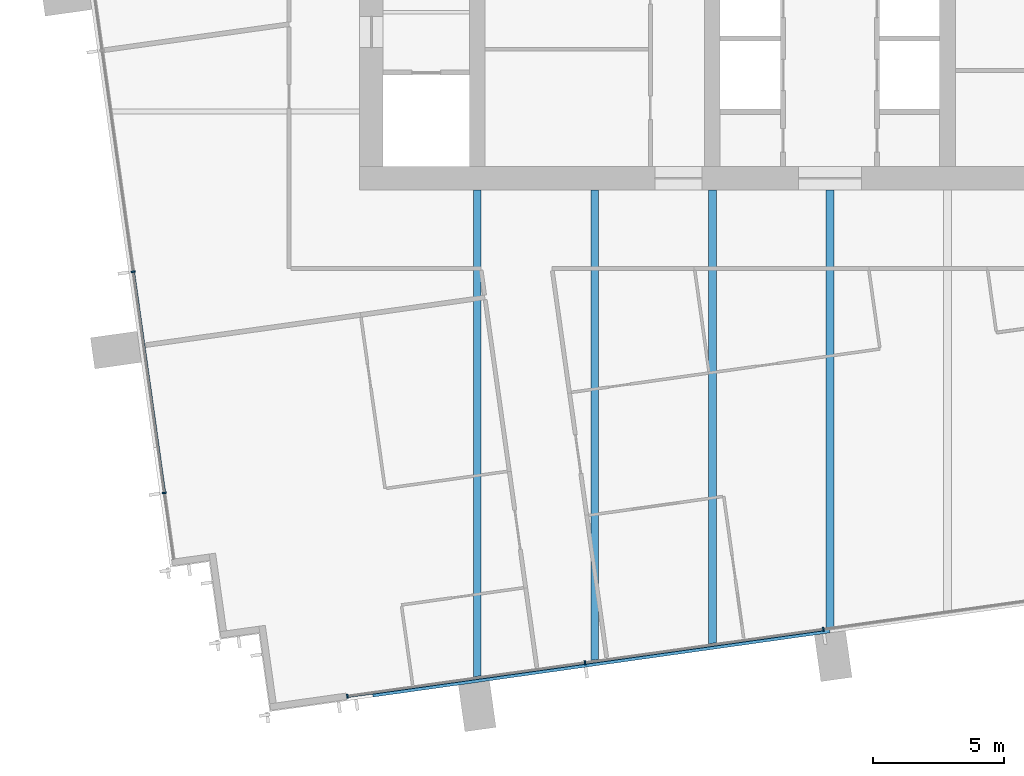
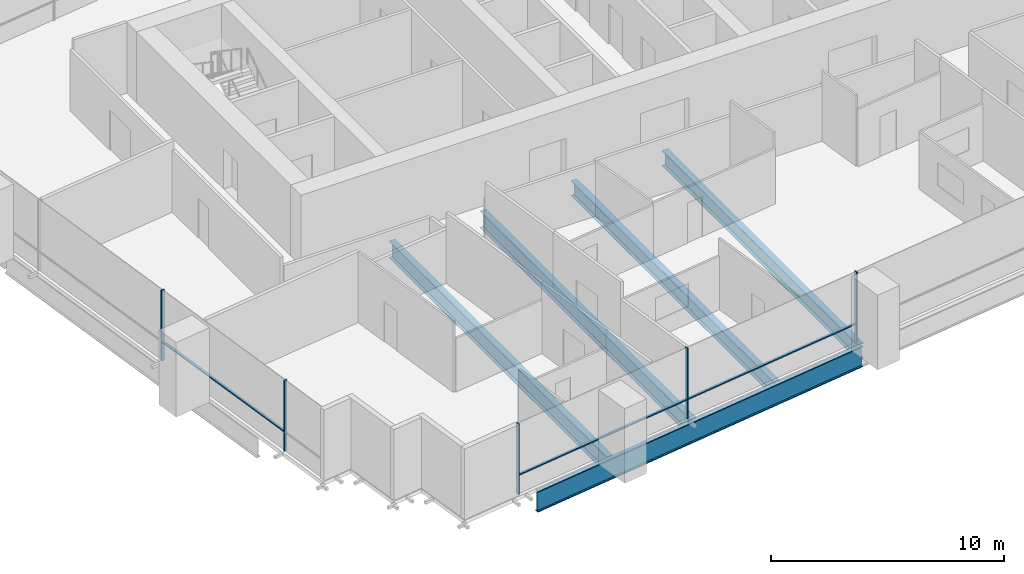
# One storey, part 2 of 14: 8 members, 5 beams, 2 elements without a shape of their own.
"""IFC4 building model written with IfcOpenShell, lengths in metres."""

from ifc_helpers import new_model, si_unit, direction, frame, origin, origin_2d, place, context, subcontext, project, spatial, rectangle, i_section, extrude, material, material_profile, profile_set, type_object, element, aggregate, save


model = new_model("IFC4")

# Units and contexts
model_context = context("Model", 3, precision=1e-05, world=origin(), true_north=direction((0.0, 1.0)))
body_context = subcontext(model_context, "Body", "Model", "MODEL_VIEW")
ifc_project = project(units=[si_unit("LENGTHUNIT", "METRE"), si_unit("AREAUNIT", "SQUARE_METRE"), si_unit("VOLUMEUNIT", "CUBIC_METRE"), si_unit("PLANEANGLEUNIT", "RADIAN"), si_unit("MASSUNIT", "GRAM", prefix="KILO")], contexts=[model_context])

# Site, building, storey
site_placement = place(None, origin())
site = spatial("IfcSite", under=ifc_project, at=site_placement, CompositionType="ELEMENT")
building_placement = place(site_placement, origin())
building = spatial("IfcBuilding", under=site, at=building_placement, Name="Rattan Terrace Tower", CompositionType="ELEMENT")
storey_placement = place(building_placement, frame((0.0, 0.0, 184.10009765625)))
storey = spatial("IfcBuildingStorey", under=building, at=storey_placement, Name="L42", CompositionType="ELEMENT", Elevation=184.10009765625)

# Curtain wall, members
ifc_material_1 = material(Name="Aluminium and glass", Category="aluminium")
curtain_wall_type = type_object("IfcCurtainWallType", Name="Facade Unitised Curtain Wall", PredefinedType="NOTDEFINED", material=ifc_material_1)
curtain_wall_1_placement = place(storey_placement, origin())
curtain_wall_1 = element("IfcCurtainWall", 1, at=curtain_wall_1_placement, inside=storey, type_object=curtain_wall_type, Name="Curtain wall L42-3", PredefinedType="NOTDEFINED")
ifc_material_2 = material(Name="Aluminium", Category="aluminium")
ifc_material_profile_1 = material_profile(ifc_material_2, rectangle(XDim=0.06005859375, YDim=0.159912109375, at=origin_2d()), Name="Aluminium 60x160")
ifc_profile_set_1 = profile_set([ifc_material_profile_1], Name="Aluminium")
member_type_1 = type_object("IfcMemberType", Name="Facade CW Mullion 60x160", PredefinedType="MULLION", material=ifc_profile_set_1)
member_1_placement = place(storey_placement, frame((-26.66748046875, -10.6259765625, 0.0), z_axis=(0.0, 0.0, 1.0), x_axis=(0.139190856006, -0.99026557327, 0.0)))
member_1 = element("IfcMember", 2, at=member_1_placement, type_object=member_type_1, Name="Mullion cwl-L42-003.3", PredefinedType="MULLION", context=body_context, shape_type="SweptSolid", body=[
    extrude(rectangle(XDim=0.06005859375, YDim=0.159912109375, at=origin_2d()), origin(), (0.0, 0.0, 1.0), 3.699951171875),
])
member_2_placement = place(storey_placement, frame((-25.477294921875, -19.092529296875, 0.0), z_axis=(0.0, 0.0, 1.0), x_axis=(0.139190856006, -0.99026557327, 0.0)))
member_2 = element("IfcMember", 3, at=member_2_placement, type_object=member_type_1, Name="Mullion cwl-L42-003.4", PredefinedType="MULLION", context=body_context, shape_type="SweptSolid", body=[
    extrude(rectangle(XDim=0.06005859375, YDim=0.159912109375, at=origin_2d()), origin(), (0.0, 0.0, 1.0), 3.699951171875),
])

curtain_wall_2_placement = place(storey_placement, origin())
curtain_wall_2 = element("IfcCurtainWall", 4, at=curtain_wall_2_placement, inside=storey, type_object=curtain_wall_type, Name="Curtain wall L42-4", PredefinedType="NOTDEFINED")
member_3_placement = place(storey_placement, frame((-18.467041015625, -26.87255859375, 0.0), z_axis=(0.0, 0.0, 1.0), x_axis=(0.990269702686, 0.139161474347, 0.0)))
member_3 = element("IfcMember", 5, at=member_3_placement, type_object=member_type_1, Name="Mullion cwl-L42-004.1", PredefinedType="MULLION", context=body_context, shape_type="SweptSolid", body=[
    extrude(rectangle(XDim=0.06005859375, YDim=0.159912109375, at=origin_2d()), origin(), (0.0, 0.0, 1.0), 3.699951171875),
])
member_4_placement = place(storey_placement, frame((-9.373291015625, -25.594482421875, 0.0), z_axis=(0.0, 0.0, 1.0), x_axis=(0.990269702686, 0.139161474347, 0.0)))
member_4 = element("IfcMember", 6, at=member_4_placement, type_object=member_type_1, Name="Mullion cwl-L42-004.2", PredefinedType="MULLION", context=body_context, shape_type="SweptSolid", body=[
    extrude(rectangle(XDim=0.06005859375, YDim=0.159912109375, at=origin_2d()), origin(), (0.0, 0.0, 1.0), 3.699951171875),
])
member_5_placement = place(storey_placement, frame((-0.25, -24.3125, 0.0), z_axis=(0.0, 0.0, 1.0), x_axis=(0.990269702686, 0.139161474347, 0.0)))
member_5 = element("IfcMember", 7, at=member_5_placement, type_object=member_type_1, Name="Mullion cwl-L42-004.3", PredefinedType="MULLION", context=body_context, shape_type="SweptSolid", body=[
    extrude(rectangle(XDim=0.06005859375, YDim=0.159912109375, at=origin_2d()), origin(), (0.0, 0.0, 1.0), 3.699951171875),
])

# Member
ifc_material_3 = material(Name="Aluminium", Category="aluminium")
ifc_material_profile_2 = material_profile(ifc_material_3, rectangle(XDim=0.1201171875, YDim=0.06005859375, at=origin_2d()), Name="Aluminium 120x60")
ifc_profile_set_2 = profile_set([ifc_material_profile_2], Name="Aluminium")
member_type_2 = type_object("IfcMemberType", Name="Facade CW Transom 120x60", PredefinedType="USERDEFINED", material=ifc_profile_set_2)
member_6_placement = place(storey_placement, frame((-26.663330078125, -10.655517578125, 1.0), z_axis=(0.139178607515, -0.99026729483, 0.0), x_axis=(0.99026729483, 0.139178607515, 0.0)))
member_6 = element("IfcMember", 8, at=member_6_placement, type_object=member_type_2, Name="Transom cwl-L42-003.3", ObjectType="TRANSOM", PredefinedType="USERDEFINED", context=body_context, shape_type="SweptSolid", body=[
    extrude(rectangle(XDim=0.1201171875, YDim=0.06005859375, at=origin_2d()), origin(), (0.0, 0.0, 1.0), 8.489990234375),
])

aggregate(curtain_wall_1, [member_1, member_2, member_6])

member_7_placement = place(storey_placement, frame((-18.437255859375, -26.868408203125, 1.0), z_axis=(0.990266494002, 0.139184305354, 0.0), x_axis=(-0.139184305354, 0.990266494002, 0.0)))
member_7 = element("IfcMember", 9, at=member_7_placement, type_object=member_type_2, Name="Transom cwl-L42-004.1", ObjectType="TRANSOM", PredefinedType="USERDEFINED", context=body_context, shape_type="SweptSolid", body=[
    extrude(rectangle(XDim=0.1201171875, YDim=0.06005859375, at=origin_2d()), origin(), (0.0, 0.0, 1.0), 9.123046875),
])

member_8_placement = place(storey_placement, frame((-9.343505859375, -25.59033203125, 1.0), z_axis=(0.990270711765, 0.139154293575, 0.0), x_axis=(-0.139154293575, 0.990270711765, 0.0)))
member_8 = element("IfcMember", 10, at=member_8_placement, type_object=member_type_2, Name="Transom cwl-L42-004.2", ObjectType="TRANSOM", PredefinedType="USERDEFINED", context=body_context, shape_type="SweptSolid", body=[
    extrude(rectangle(XDim=0.1201171875, YDim=0.06005859375, at=origin_2d()), origin(), (0.0, 0.0, 1.0), 9.153076171875),
])

aggregate(curtain_wall_2, [member_3, member_4, member_5, member_7, member_8])

# Beams
ifc_material_4 = material(Name="Steel S460", Category="steel")
ifc_material_profile_3 = material_profile(ifc_material_4, i_section(OverallWidth=0.179931640625, OverallDepth=1.10009765625, WebThickness=0.01611328125, FlangeThickness=0.050048828125, at=origin_2d()), Name="PG 1100x180-16-50")
ifc_profile_set_3 = profile_set([ifc_material_profile_3], Name="Steel S460")
beam_type_1 = type_object("IfcBeamType", Name="Frame edge girder PG 1100x180-16-50", PredefinedType="SPANDREL", material=ifc_profile_set_3)
beam_1_placement = place(storey_placement, frame((-17.4990234375, -26.818115234375, -0.75), z_axis=(0.990264173921, 0.139200811234, 0.0), x_axis=(-0.139200811234, 0.990264173921, 0.0)))
element("IfcBeam", 11, at=beam_1_placement, inside=storey, type_object=beam_type_1, Name="gdr-L42-001", PredefinedType="SPANDREL", context=body_context, shape_type="SweptSolid", body=[
    extrude(i_section(OverallWidth=0.179931640625, OverallDepth=1.10009765625, WebThickness=0.01611328125, FlangeThickness=0.050048828125, at=origin_2d()), origin(), (0.0, 0.0, 1.0), 17.657958984375),
])
ifc_material_5 = material(Name="Steel S355", Category="steel")
ifc_material_profile_4 = material_profile(ifc_material_5, i_section(OverallWidth=0.300048828125, OverallDepth=0.800048828125, WebThickness=0.017578125, FlangeThickness=0.032958984375, FilletRadius=0.030029296875, at=origin_2d()), Name="HE 800 B")
ifc_profile_set_4 = profile_set([ifc_material_profile_4], Name="Steel S355")
beam_type_2 = type_object("IfcBeamType", Name="Frame floor beam HE 800 B", PredefinedType="JOIST", material=ifc_profile_set_4)
beam_2_placement = place(storey_placement, frame((-4.5, -24.87890625, -0.60009765625), z_axis=(0.0, 1.0, 0.0), x_axis=(-1.0, 0.0, 0.0)))
element("IfcBeam", 12, at=beam_2_placement, inside=storey, type_object=beam_type_2, Name="bm-L42-005", PredefinedType="JOIST", context=body_context, shape_type="SweptSolid", body=[
    extrude(i_section(OverallWidth=0.300048828125, OverallDepth=0.800048828125, WebThickness=0.017578125, FlangeThickness=0.032958984375, FilletRadius=0.030029296875, at=origin_2d()), origin(), (0.0, 0.0, 1.0), 17.37890625),
])
beam_3_placement = place(storey_placement, frame((0.0, -24.24609375, -0.60009765625), z_axis=(0.0, 1.0, 0.0), x_axis=(-1.0, 0.0, 0.0)))
element("IfcBeam", 13, at=beam_3_placement, inside=storey, type_object=beam_type_2, Name="bm-L42-006", PredefinedType="JOIST", context=body_context, shape_type="SweptSolid", body=[
    extrude(i_section(OverallWidth=0.300048828125, OverallDepth=0.800048828125, WebThickness=0.017578125, FlangeThickness=0.032958984375, FilletRadius=0.030029296875, at=origin_2d()), origin(), (0.0, 0.0, 1.0), 16.74609375),
])
ifc_material_6 = material(Name="Steel S355", Category="steel")
ifc_material_profile_5 = material_profile(ifc_material_6, i_section(OverallWidth=0.300048828125, OverallDepth=0.89990234375, WebThickness=0.0185546875, FlangeThickness=0.034912109375, FilletRadius=0.030029296875, at=origin_2d()), Name="HE 900 B")
ifc_profile_set_5 = profile_set([ifc_material_profile_5], Name="Steel S355")
beam_type_3 = type_object("IfcBeamType", Name="Frame floor beam HE 900 B", PredefinedType="JOIST", material=ifc_profile_set_5)
beam_4_placement = place(storey_placement, frame((-13.5, -26.14404296875, -0.650146484375), z_axis=(0.0, 1.0, 0.0), x_axis=(-1.0, 0.0, 0.0)))
element("IfcBeam", 14, at=beam_4_placement, inside=storey, type_object=beam_type_3, Name="bm-L42-003", PredefinedType="JOIST", context=body_context, shape_type="SweptSolid", body=[
    extrude(i_section(OverallWidth=0.300048828125, OverallDepth=0.89990234375, WebThickness=0.0185546875, FlangeThickness=0.034912109375, FilletRadius=0.030029296875, at=origin_2d()), origin(), (0.0, 0.0, 1.0), 18.64404296875),
])
beam_5_placement = place(storey_placement, frame((-9.0, -25.510986328125, -0.650146484375), z_axis=(0.0, 1.0, 0.0), x_axis=(-1.0, 0.0, 0.0)))
element("IfcBeam", 15, at=beam_5_placement, inside=storey, type_object=beam_type_3, Name="bm-L42-004", PredefinedType="JOIST", context=body_context, shape_type="SweptSolid", body=[
    extrude(i_section(OverallWidth=0.300048828125, OverallDepth=0.89990234375, WebThickness=0.0185546875, FlangeThickness=0.034912109375, FilletRadius=0.030029296875, at=origin_2d()), origin(), (0.0, 0.0, 1.0), 18.010986328125),
])

save(model, "model.ifc")
